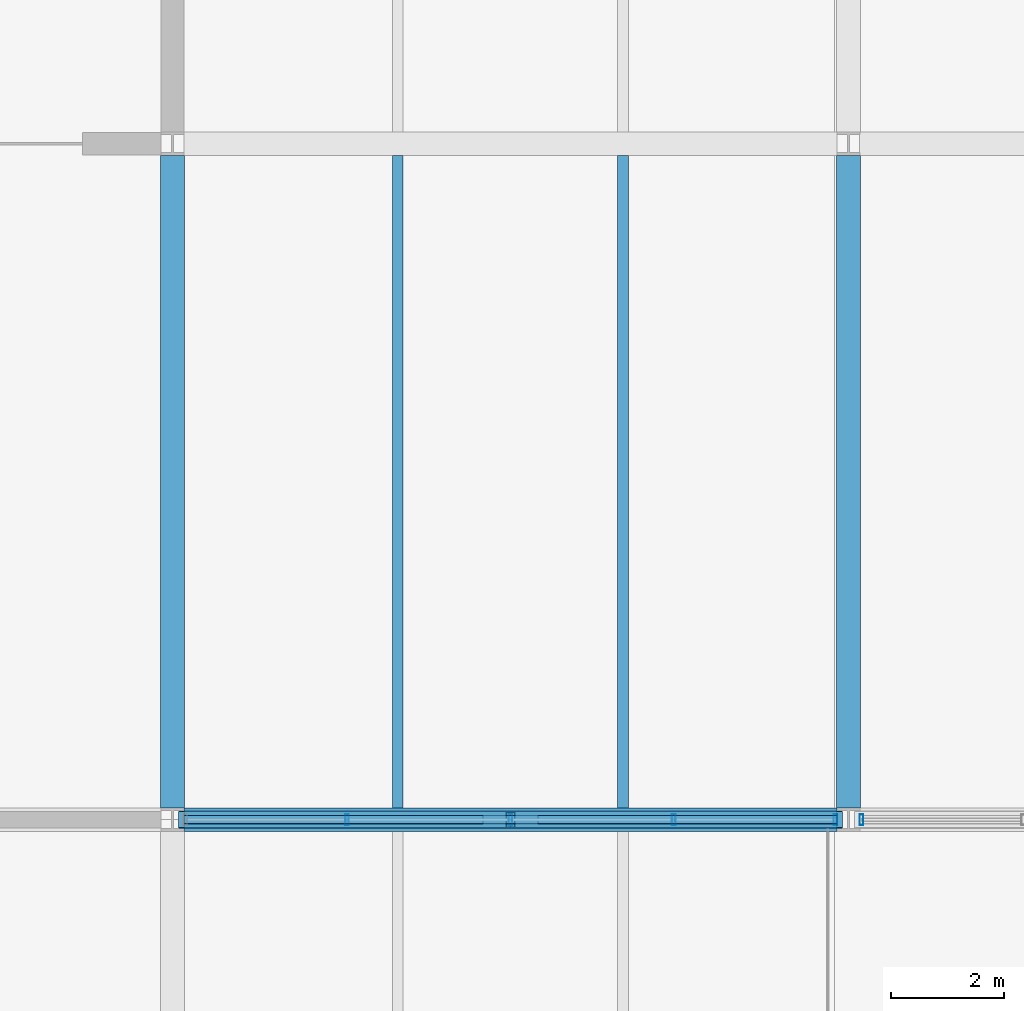
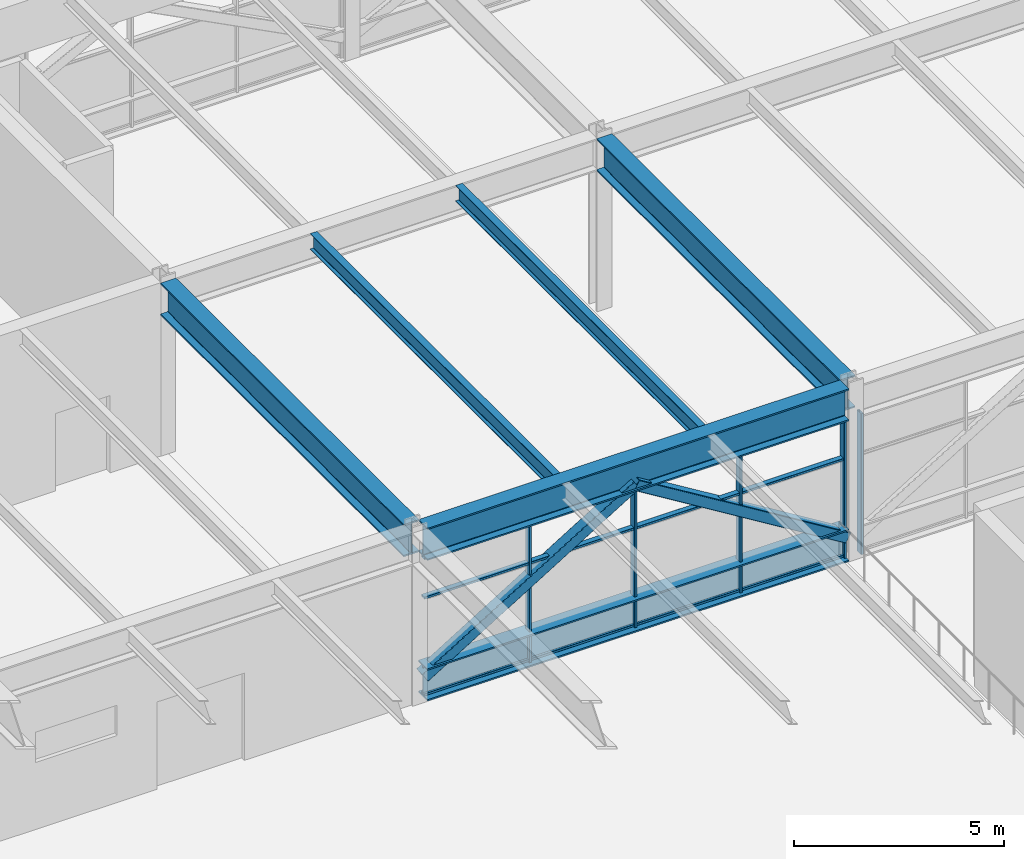
# One storey, part 12 of 42: 11 members, 5 beams, 2 elements without a shape of their own.
"""IFC4 building model written with IfcOpenShell, lengths in metres."""

from ifc_helpers import new_model, si_unit, direction, frame, origin, origin_2d, place, context, subcontext, project, spatial, hollow_rectangle, i_section, extrude, material, material_profile, profile_set, type_object, element, aggregate, save


model = new_model("IFC4")

# Units and contexts
model_context = context("Model", 3, precision=1e-05, world=origin(), true_north=direction((0.0, 1.0)))
body_context = subcontext(model_context, "Body", "Model", "MODEL_VIEW")
ifc_project = project(units=[si_unit("LENGTHUNIT", "METRE"), si_unit("AREAUNIT", "SQUARE_METRE"), si_unit("VOLUMEUNIT", "CUBIC_METRE"), si_unit("PLANEANGLEUNIT", "RADIAN"), si_unit("MASSUNIT", "GRAM", prefix="KILO")], contexts=[model_context])

# Site, building, storey
site_placement = place(None, origin())
site = spatial("IfcSite", under=ifc_project, at=site_placement, CompositionType="ELEMENT")
building_placement = place(site_placement, origin())
building = spatial("IfcBuilding", under=site, at=building_placement, Name="Girod Span Mobility Hub", CompositionType="ELEMENT")
storey_placement = place(building_placement, frame((0.0, 0.0, 32.39990234375)))
storey = spatial("IfcBuildingStorey", under=building, at=storey_placement, Name="L08", CompositionType="ELEMENT", Elevation=32.39990234375)

# Beams
ifc_material_1 = material(Name="Steel A992 Grade 50", Category="steel")
ifc_material_profile_1 = material_profile(ifc_material_1, i_section(OverallWidth=0.19189453125, OverallDepth=0.462890625, WebThickness=0.010498046875, FlangeThickness=0.017578125, FilletRadius=0.013916015625, at=origin_2d()), Name="W18X60")
ifc_profile_set_1 = profile_set([ifc_material_profile_1], Name="Steel A992 Grade 50")
beam_type_1 = type_object("IfcBeamType", Name="BM-STL-W18X60", PredefinedType="BEAM", material=ifc_profile_set_1)
for number, where, z_axis, x_axis, name in (
    (1, (64.0, 45.20849609375, 4.80859375), (0.0, 1.0, 0.0), (-1.0, 0.0, 0.0), "Composite Floorbeam 6/D-1 L08"),
    (2, (68.0, 45.20849609375, 4.80859375), (0.0, 1.0, 0.0), (-1.0, 0.0, 0.0), "Composite Floorbeam 6/D-2 L08"),
):
    element("IfcBeam", number, at=place(storey_placement, frame(where, z_axis=z_axis, x_axis=x_axis)), inside=storey, type_object=beam_type_1, Name=name, PredefinedType="BEAM", context=body_context, shape_type="SweptSolid", body=[
        extrude(i_section(OverallWidth=0.19189453125, OverallDepth=0.462890625, WebThickness=0.010498046875, FlangeThickness=0.017578125, FilletRadius=0.013916015625, at=origin_2d()), origin(), (0.0, 0.0, 1.0), 11.5830078125),
    ])
ifc_material_2 = material(Name="Steel A992 Grade 50", Category="steel")
ifc_material_profile_2 = material_profile(ifc_material_2, i_section(OverallWidth=0.423095703125, OverallDepth=0.93994140625, WebThickness=0.02392578125, FlangeThickness=0.042724609375, FilletRadius=0.02392578125, at=origin_2d()), Name="W36X302")
ifc_profile_set_2 = profile_set([ifc_material_profile_2], Name="Steel A992 Grade 50")
beam_type_2 = type_object("IfcBeamType", Name="BM-STL-W36X302", PredefinedType="BEAM", material=ifc_profile_set_2)
beam_placement = place(storey_placement, frame((60.199951171875, 45.0, 4.570068359375), z_axis=(1.0, 0.0, 0.0), x_axis=(0.0, 1.0, 0.0)))
element("IfcBeam", 3, at=beam_placement, inside=storey, type_object=beam_type_2, Name="Girder 6-7/D L08", PredefinedType="BEAM", context=body_context, shape_type="SweptSolid", body=[
    extrude(i_section(OverallWidth=0.423095703125, OverallDepth=0.93994140625, WebThickness=0.02392578125, FlangeThickness=0.042724609375, FilletRadius=0.02392578125, at=origin_2d()), origin(), (0.0, 0.0, 1.0), 11.60009765625),
])
for number, where, z_axis, x_axis, name in (
    (4, (60.0, 45.205078125, 4.570068359375), (0.0, 1.0, 0.0), (-1.0, 0.0, 0.0), "Tie Girder 6/D-E L08"),
    (5, (72.0, 45.205078125, 4.570068359375), (0.0, 1.0, 0.0), (-1.0, 0.0, 0.0), "Tie Girder 7/D-E L08"),
):
    element("IfcBeam", number, at=place(storey_placement, frame(where, z_axis=z_axis, x_axis=x_axis)), inside=storey, type_object=beam_type_2, Name=name, PredefinedType="BEAM", context=body_context, shape_type="SweptSolid", body=[
        extrude(i_section(OverallWidth=0.423095703125, OverallDepth=0.93994140625, WebThickness=0.02392578125, FlangeThickness=0.042724609375, FilletRadius=0.02392578125, at=origin_2d()), origin(), (0.0, 0.0, 1.0), 11.58984375),
    ])

# Curtain wall, members
ifc_material_3 = material(Name="Thermally Broken Anodised Aluminium", Category="aluminium")
curtain_wall_type = type_object("IfcCurtainWallType", Name="CW-1160X410", PredefinedType="USERDEFINED", material=ifc_material_3)
curtain_wall_1_placement = place(storey_placement, origin())
curtain_wall_1 = element("IfcCurtainWall", 6, at=curtain_wall_1_placement, inside=storey, type_object=curtain_wall_type, Name="Unitised Curtain Wall CW-L08-S06 L08", ObjectType="UNITISED CURTAIN WALL", PredefinedType="USERDEFINED")
ifc_material_4 = material(Name="Thermally Broken Anodised Aluminium", Category="aluminium")
ifc_material_profile_3 = material_profile(ifc_material_4, hollow_rectangle(XDim=0.199951171875, YDim=0.06494140625, WallThickness=0.00390625, InnerFilletRadius=0.00390625, OuterFilletRadius=0.008056640625, at=origin_2d()), Name="CW-ML-65X200")
ifc_profile_set_3 = profile_set([ifc_material_profile_3], Name="Thermally Broken Anodised Aluminium")
member_type_1 = type_object("IfcMemberType", Name="CWM-ML-1", PredefinedType="MULLION", material=ifc_profile_set_3)
member_1_placement = place(storey_placement, frame((63.1005859375, 45.0, 0.0), z_axis=(0.0, 0.0, 1.0), x_axis=(0.0, 1.0, 0.0)))
member_1 = element("IfcMember", 7, at=member_1_placement, type_object=member_type_1, Name="Curtain Wall Mullion CW-L08-S06-M1", PredefinedType="MULLION", context=body_context, shape_type="SweptSolid", body=[
    extrude(hollow_rectangle(XDim=0.199951171875, YDim=0.06494140625, WallThickness=0.00390625, InnerFilletRadius=0.00390625, OuterFilletRadius=0.008056640625, at=origin_2d()), origin(), (0.0, 0.0, 1.0), 4.10009765625),
])
member_2_placement = place(storey_placement, frame((66.0, 45.0, 0.0), z_axis=(0.0, 0.0, 1.0), x_axis=(0.0, 1.0, 0.0)))
member_2 = element("IfcMember", 8, at=member_2_placement, type_object=member_type_1, Name="Curtain Wall Mullion CW-L08-S06-M2", PredefinedType="MULLION", context=body_context, shape_type="SweptSolid", body=[
    extrude(hollow_rectangle(XDim=0.199951171875, YDim=0.06494140625, WallThickness=0.00390625, InnerFilletRadius=0.00390625, OuterFilletRadius=0.008056640625, at=origin_2d()), origin(), (0.0, 0.0, 1.0), 4.10009765625),
])
member_3_placement = place(storey_placement, frame((68.8994140625, 45.0, 0.0), z_axis=(0.0, 0.0, 1.0), x_axis=(0.0, 1.0, 0.0)))
member_3 = element("IfcMember", 9, at=member_3_placement, type_object=member_type_1, Name="Curtain Wall Mullion CW-L08-S06-M3", PredefinedType="MULLION", context=body_context, shape_type="SweptSolid", body=[
    extrude(hollow_rectangle(XDim=0.199951171875, YDim=0.06494140625, WallThickness=0.00390625, InnerFilletRadius=0.00390625, OuterFilletRadius=0.008056640625, at=origin_2d()), origin(), (0.0, 0.0, 1.0), 4.10009765625),
])
member_4_placement = place(storey_placement, frame((71.76708984375, 45.0, 0.0), z_axis=(0.0, 0.0, 1.0), x_axis=(0.0, 1.0, 0.0)))
member_4 = element("IfcMember", 10, at=member_4_placement, type_object=member_type_1, Name="Curtain Wall Mullion CW-L08-S06-M4", PredefinedType="MULLION", context=body_context, shape_type="SweptSolid", body=[
    extrude(hollow_rectangle(XDim=0.199951171875, YDim=0.06494140625, WallThickness=0.00390625, InnerFilletRadius=0.00390625, OuterFilletRadius=0.008056640625, at=origin_2d()), origin(), (0.0, 0.0, 1.0), 4.10009765625),
])

# Curtain wall, member
curtain_wall_2_placement = place(storey_placement, origin())
curtain_wall_2 = element("IfcCurtainWall", 11, at=curtain_wall_2_placement, inside=storey, type_object=curtain_wall_type, Name="Unitised Curtain Wall CW-L08-S07 L08", ObjectType="UNITISED CURTAIN WALL", PredefinedType="USERDEFINED")
member_5_placement = place(storey_placement, frame((72.23291015625, 45.0, 0.0), z_axis=(0.0, 0.0, 1.0), x_axis=(0.0, 1.0, 0.0)))
member_5 = element("IfcMember", 12, at=member_5_placement, type_object=member_type_1, Name="Curtain Wall Mullion CW-L08-S07-M0", PredefinedType="MULLION", context=body_context, shape_type="SweptSolid", body=[
    extrude(hollow_rectangle(XDim=0.199951171875, YDim=0.06494140625, WallThickness=0.00390625, InnerFilletRadius=0.00390625, OuterFilletRadius=0.008056640625, at=origin_2d()), origin(), (0.0, 0.0, 1.0), 4.10009765625),
])
aggregate(curtain_wall_2, [member_5])

# Member
ifc_material_5 = material(Name="Thermally Broken Anodised Aluminium", Category="aluminium")
ifc_material_profile_4 = material_profile(ifc_material_5, hollow_rectangle(XDim=0.14990234375, YDim=0.06494140625, WallThickness=0.00390625, InnerFilletRadius=0.00390625, OuterFilletRadius=0.008056640625, at=origin_2d()), Name="CW-TR-65X150")
ifc_profile_set_4 = profile_set([ifc_material_profile_4], Name="Thermally Broken Anodised Aluminium")
member_type_2 = type_object("IfcMemberType", Name="CWM-TR-1", PredefinedType="USERDEFINED", material=ifc_profile_set_4)
member_6_placement = place(storey_placement, frame((60.200927734375, 45.0, 0.107666015625), z_axis=(1.0, 0.0, 0.0), x_axis=(0.0, 1.0, 0.0)))
member_6 = element("IfcMember", 13, at=member_6_placement, type_object=member_type_2, Name="Curtain Wall Transom CW-L08-S06-T1", ObjectType="TRANSOM", PredefinedType="USERDEFINED", context=body_context, shape_type="SweptSolid", body=[
    extrude(hollow_rectangle(XDim=0.14990234375, YDim=0.06494140625, WallThickness=0.00390625, InnerFilletRadius=0.00390625, OuterFilletRadius=0.008056640625, at=origin_2d()), origin(), (0.0, 0.0, 1.0), 11.59814453125),
])

member_7_placement = place(storey_placement, frame((60.200927734375, 45.0, 2.919677734375), z_axis=(1.0, 0.0, 0.0), x_axis=(0.0, 1.0, 0.0)))
member_7 = element("IfcMember", 14, at=member_7_placement, type_object=member_type_2, Name="Curtain Wall Transom CW-L08-S06-T2", ObjectType="TRANSOM", PredefinedType="USERDEFINED", context=body_context, shape_type="SweptSolid", body=[
    extrude(hollow_rectangle(XDim=0.14990234375, YDim=0.06494140625, WallThickness=0.00390625, InnerFilletRadius=0.00390625, OuterFilletRadius=0.008056640625, at=origin_2d()), origin(), (0.0, 0.0, 1.0), 11.59814453125),
])

member_8_placement = place(storey_placement, frame((60.200927734375, 45.0, 4.067626953125), z_axis=(1.0, 0.0, 0.0), x_axis=(0.0, 1.0, 0.0)))
member_8 = element("IfcMember", 15, at=member_8_placement, type_object=member_type_2, Name="Curtain Wall Transom CW-L08-S06-T3", ObjectType="TRANSOM", PredefinedType="USERDEFINED", context=body_context, shape_type="SweptSolid", body=[
    extrude(hollow_rectangle(XDim=0.14990234375, YDim=0.06494140625, WallThickness=0.00390625, InnerFilletRadius=0.00390625, OuterFilletRadius=0.008056640625, at=origin_2d()), origin(), (0.0, 0.0, 1.0), 11.59814453125),
])

aggregate(curtain_wall_1, [member_1, member_2, member_3, member_4, member_6, member_7, member_8])

# Members
ifc_material_6 = material(Name="Steel HSS A500 Grade C", Category="steel")
ifc_material_profile_5 = material_profile(ifc_material_6, hollow_rectangle(XDim=0.304931640625, YDim=0.304931640625, WallThickness=0.014892578125, InnerFilletRadius=0.014892578125, OuterFilletRadius=0.029541015625, at=origin_2d()), Name="HSS305X305X16")
ifc_profile_set_5 = profile_set([ifc_material_profile_5], Name="Steel HSS A500 Grade C")
member_type_3 = type_object("IfcMemberType", Name="MB-BR-HSS305", PredefinedType="BRACE", material=ifc_profile_set_5)
for number, where, z_axis, x_axis, name in (
    (16, (60.18310546875, 45.0, 0.650146484375), (0.852282861165, 0.0, 0.523081183531), (0.0, 1.0, 0.0), "Warren Transfer Truss Web Diagonal Y=45 6-L"),
    (17, (71.81689453125, 45.0, 0.650146484375), (-0.852282861165, 0.0, 0.523081183531), (0.0, -1.0, 0.0), "Warren Transfer Truss Web Diagonal Y=45 6-R"),
):
    element("IfcMember", number, at=place(storey_placement, frame(where, z_axis=z_axis, x_axis=x_axis)), inside=storey, type_object=member_type_3, Name=name, PredefinedType="BRACE", context=body_context, shape_type="SweptSolid", body=[
        extrude(hollow_rectangle(XDim=0.304931640625, YDim=0.304931640625, WallThickness=0.014892578125, InnerFilletRadius=0.014892578125, OuterFilletRadius=0.029541015625, at=origin_2d()), origin(), (0.0, 0.0, 1.0), 6.8251953125),
    ])
ifc_material_7 = material(Name="Steel A992 Grade 50", Category="steel")
ifc_material_profile_6 = material_profile(ifc_material_7, i_section(OverallWidth=0.423095703125, OverallDepth=0.93994140625, WebThickness=0.02392578125, FlangeThickness=0.042724609375, FilletRadius=0.02392578125, at=origin_2d()), Name="W36X302")
ifc_profile_set_6 = profile_set([ifc_material_profile_6], Name="Steel A992 Grade 50")
member_type_4 = type_object("IfcMemberType", Name="MB-CH-W36X302", PredefinedType="CHORD", material=ifc_profile_set_6)
member_9_placement = place(storey_placement, frame((60.199951171875, 45.0, 0.47998046875), z_axis=(1.0, 0.0, 0.0), x_axis=(0.0, 1.0, 0.0)))
element("IfcMember", 18, at=member_9_placement, inside=storey, type_object=member_type_4, Name="Warren Transfer Truss Bottom Chord Y=45 Bay 6", PredefinedType="CHORD", context=body_context, shape_type="SweptSolid", body=[
    extrude(i_section(OverallWidth=0.423095703125, OverallDepth=0.93994140625, WebThickness=0.02392578125, FlangeThickness=0.042724609375, FilletRadius=0.02392578125, at=origin_2d()), origin(), (0.0, 0.0, 1.0), 11.60009765625),
])

save(model, "model.ifc")
